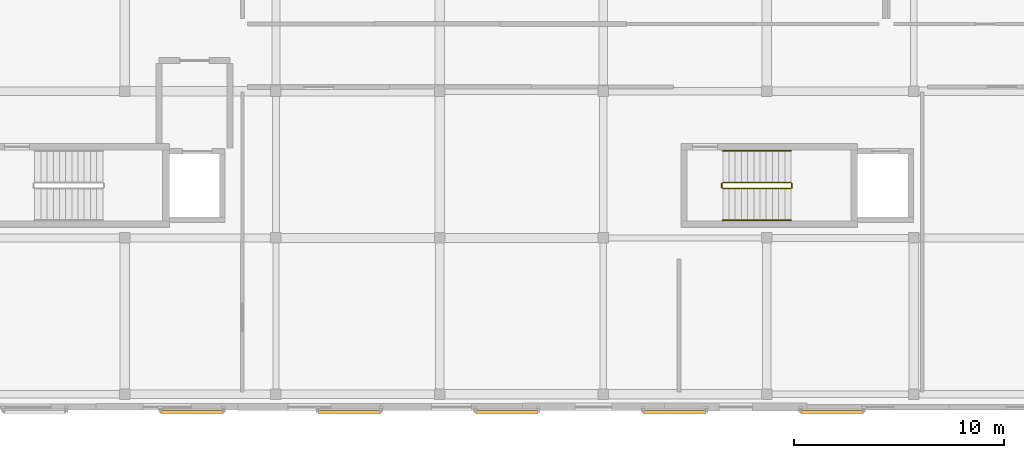
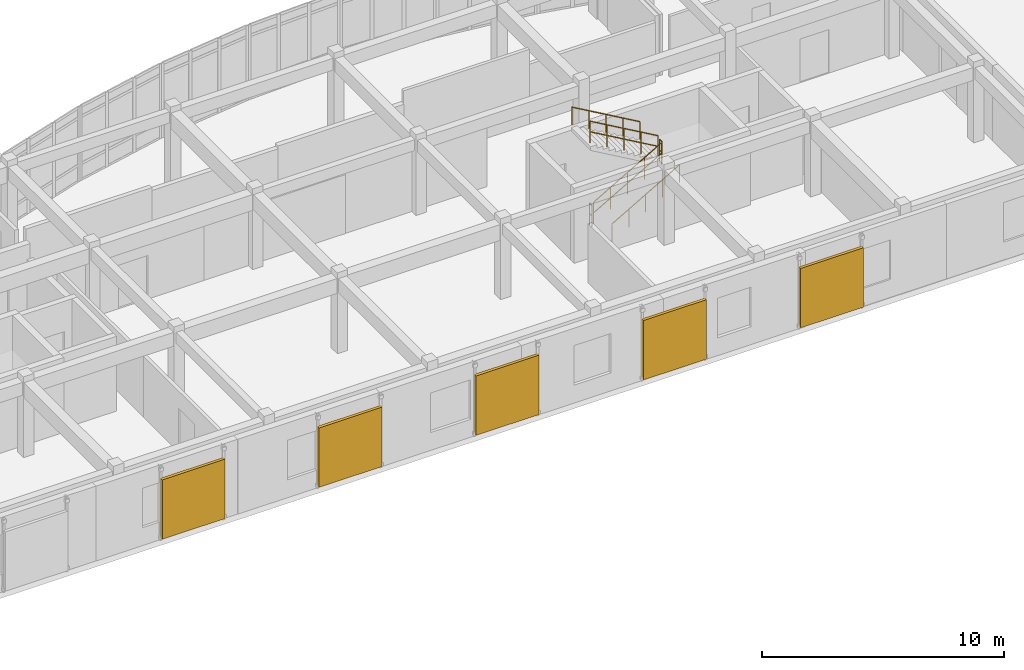
# One storey, part 88 of 91: 6 railings, 5 shading devices.
"""IFC4 building model written with IfcOpenShell, lengths in metres."""

from ifc_helpers import new_model, si_unit, direction, frame, origin, origin_2d, place, context, subcontext, project, spatial, rectangle, circle, extrude, material, layer, layer_set, type_object, element, save


model = new_model("IFC4")

# Units and contexts
model_context = context("Model", 3, precision=1e-05, world=origin(), true_north=direction((0.0, 1.0)))
body_context = subcontext(model_context, "Body", "Model", "MODEL_VIEW")
ifc_project = project(units=[si_unit("LENGTHUNIT", "METRE"), si_unit("AREAUNIT", "SQUARE_METRE"), si_unit("VOLUMEUNIT", "CUBIC_METRE"), si_unit("PLANEANGLEUNIT", "RADIAN"), si_unit("MASSUNIT", "GRAM", prefix="KILO")], contexts=[model_context])

# Site, building, storey
site_placement = place(None, origin())
site = spatial("IfcSite", under=ifc_project, at=site_placement, CompositionType="ELEMENT")
building_placement = place(site_placement, origin())
building = spatial("IfcBuilding", under=site, at=building_placement, Name="Valcora Specialist Clinic", CompositionType="ELEMENT")
storey_placement = place(building_placement, frame((0.0, 0.0, 13.60009765625)))
storey = spatial("IfcBuildingStorey", under=building, at=storey_placement, Name="L03", CompositionType="ELEMENT", Elevation=13.60009765625)

# Railings
ifc_material_1 = material(Name="Stainless Steel AISI 316", Category="steel")
railing_type_1 = type_object("IfcRailingType", Name="TY-RL-GRD112", PredefinedType="GUARDRAIL", material=ifc_material_1)
railing_1_placement = place(storey_placement, frame((90.300048828125, 10.550048828125, 0.169921875)))
element("IfcRailing", 1, at=railing_1_placement, inside=storey, type_object=railing_type_1, Name="L03 ST-V6B stair guard 1", PredefinedType="GUARDRAIL", context=body_context, shape_type="SweptSolid", body=[
    extrude(circle(Radius=0.02392578125, at=origin_2d()), frame((0.0, 0.0, 1.09619140625), z_axis=(0.866436178797, 0.0, 0.499287840901), x_axis=(0.0, 1.0, 0.0)), (0.0, 0.0, 1.0), 3.7451171875),
    extrude(circle(Radius=0.02392578125, at=origin_2d()), frame((0.0, 0.0, 0.56005859375), z_axis=(0.866436178797, 0.0, 0.499287840901), x_axis=(0.0, 1.0, 0.0)), (0.0, 0.0, 1.0), 3.7451171875),
    extrude(circle(Radius=0.02099609375, at=origin_2d()), origin(), (0.0, 0.0, 1.0), 1.072021484375),
    extrude(circle(Radius=0.02099609375, at=origin_2d()), frame((0.811279296875, 0.0, 0.467529296875)), (0.0, 0.0, 1.0), 1.072021484375),
    extrude(circle(Radius=0.02099609375, at=origin_2d()), frame((1.62255859375, 0.0, 0.93505859375)), (0.0, 0.0, 1.0), 1.072021484375),
    extrude(circle(Radius=0.02099609375, at=origin_2d()), frame((2.43359375, 0.0, 1.40234375)), (0.0, 0.0, 1.0), 1.072021484375),
    extrude(circle(Radius=0.02099609375, at=origin_2d()), frame((3.244873046875, 0.0, 1.869873046875)), (0.0, 0.0, 1.0), 1.072021484375),
])
railing_2_placement = place(storey_placement, frame((93.594970703125, 10.60009765625, 2.039794921875)))
element("IfcRailing", 2, at=railing_2_placement, inside=storey, type_object=railing_type_1, Name="L03 ST-V6B stair guard 2", PredefinedType="GUARDRAIL", context=body_context, shape_type="SweptSolid", body=[
    extrude(circle(Radius=0.02392578125, at=origin_2d()), frame((0.0, 0.0, 1.09619140625), z_axis=(0.0, 1.0, 0.0), x_axis=(-1.0, 0.0, 0.0)), (0.0, 0.0, 1.0), 0.199951171875),
    extrude(circle(Radius=0.02392578125, at=origin_2d()), frame((0.0, 0.0, 0.56005859375), z_axis=(0.0, 1.0, 0.0), x_axis=(-1.0, 0.0, 0.0)), (0.0, 0.0, 1.0), 0.199951171875),
    extrude(circle(Radius=0.02099609375, at=origin_2d()), origin(), (0.0, 0.0, 1.0), 1.072021484375),
    extrude(circle(Radius=0.02099609375, at=origin_2d()), frame((0.0, 0.199951171875, 0.0)), (0.0, 0.0, 1.0), 1.072021484375),
])
railing_3_placement = place(storey_placement, frame((93.544921875, 10.85009765625, 2.2099609375)))
element("IfcRailing", 3, at=railing_3_placement, inside=storey, type_object=railing_type_1, Name="L03 ST-V6B stair guard 3", PredefinedType="GUARDRAIL", context=body_context, shape_type="SweptSolid", body=[
    extrude(circle(Radius=0.02392578125, at=origin_2d()), frame((0.0, 0.0, 1.09619140625), z_axis=(-0.866436178797, 0.0, 0.499287840901), x_axis=(0.0, -1.0, 0.0)), (0.0, 0.0, 1.0), 3.7451171875),
    extrude(circle(Radius=0.02392578125, at=origin_2d()), frame((0.0, 0.0, 0.56005859375), z_axis=(-0.866436178797, 0.0, 0.499287840901), x_axis=(0.0, -1.0, 0.0)), (0.0, 0.0, 1.0), 3.7451171875),
    extrude(circle(Radius=0.02099609375, at=origin_2d()), origin(), (0.0, 0.0, 1.0), 1.072021484375),
    extrude(circle(Radius=0.02099609375, at=origin_2d()), frame((-0.811279296875, 0.0, 0.467529296875)), (0.0, 0.0, 1.0), 1.072021484375),
    extrude(circle(Radius=0.02099609375, at=origin_2d()), frame((-1.62255859375, 0.0, 0.93505859375)), (0.0, 0.0, 1.0), 1.072021484375),
    extrude(circle(Radius=0.02099609375, at=origin_2d()), frame((-2.43359375, 0.0, 1.40234375)), (0.0, 0.0, 1.0), 1.072021484375),
    extrude(circle(Radius=0.02099609375, at=origin_2d()), frame((-3.244873046875, 0.0, 1.869873046875)), (0.0, 0.0, 1.0), 1.072021484375),
])
railing_4_placement = place(storey_placement, frame((90.25, 10.60009765625, 0.0)))
element("IfcRailing", 4, at=railing_4_placement, inside=storey, type_object=railing_type_1, Name="L03 ST-V6B stair guard 4", PredefinedType="GUARDRAIL", context=body_context, shape_type="SweptSolid", body=[
    extrude(circle(Radius=0.02392578125, at=origin_2d()), frame((0.0, 0.0, 1.09619140625), z_axis=(0.0, 1.0, 0.0), x_axis=(-1.0, 0.0, 0.0)), (0.0, 0.0, 1.0), 0.199951171875),
    extrude(circle(Radius=0.02392578125, at=origin_2d()), frame((0.0, 0.0, 0.56005859375), z_axis=(0.0, 1.0, 0.0), x_axis=(-1.0, 0.0, 0.0)), (0.0, 0.0, 1.0), 0.199951171875),
    extrude(circle(Radius=0.02099609375, at=origin_2d()), origin(), (0.0, 0.0, 1.0), 1.072021484375),
    extrude(circle(Radius=0.02099609375, at=origin_2d()), frame((0.0, 0.199951171875, 0.0)), (0.0, 0.0, 1.0), 1.072021484375),
])
railing_type_2 = type_object("IfcRailingType", Name="TY-RL-HND092", PredefinedType="HANDRAIL", material=ifc_material_1)
railing_5_placement = place(storey_placement, frame((90.300048828125, 9.050048828125, 0.169921875)))
element("IfcRailing", 5, at=railing_5_placement, inside=storey, type_object=railing_type_2, Name="L03 ST-V6B stair handrail 1", PredefinedType="HANDRAIL", context=body_context, shape_type="SweptSolid", body=[
    extrude(circle(Radius=0.02392578125, at=origin_2d()), frame((0.0, 0.0, 0.89599609375), z_axis=(0.866436178797, 0.0, 0.499287840901), x_axis=(0.0, 1.0, 0.0)), (0.0, 0.0, 1.0), 3.7451171875),
    extrude(circle(Radius=0.02099609375, at=origin_2d()), origin(), (0.0, 0.0, 1.0), 0.871826171875),
    extrude(circle(Radius=0.02099609375, at=origin_2d()), frame((0.811279296875, 0.0, 0.467529296875)), (0.0, 0.0, 1.0), 0.871826171875),
    extrude(circle(Radius=0.02099609375, at=origin_2d()), frame((1.62255859375, 0.0, 0.93505859375)), (0.0, 0.0, 1.0), 0.871826171875),
    extrude(circle(Radius=0.02099609375, at=origin_2d()), frame((2.43359375, 0.0, 1.40234375)), (0.0, 0.0, 1.0), 0.871826171875),
    extrude(circle(Radius=0.02099609375, at=origin_2d()), frame((3.244873046875, 0.0, 1.869873046875)), (0.0, 0.0, 1.0), 0.871826171875),
])
railing_6_placement = place(storey_placement, frame((93.544921875, 12.35009765625, 2.2099609375)))
element("IfcRailing", 6, at=railing_6_placement, inside=storey, type_object=railing_type_2, Name="L03 ST-V6B stair handrail 2", PredefinedType="HANDRAIL", context=body_context, shape_type="SweptSolid", body=[
    extrude(circle(Radius=0.02392578125, at=origin_2d()), frame((0.0, 0.0, 0.89599609375), z_axis=(-0.866436178797, 0.0, 0.499287840901), x_axis=(0.0, -1.0, 0.0)), (0.0, 0.0, 1.0), 3.7451171875),
    extrude(circle(Radius=0.02099609375, at=origin_2d()), origin(), (0.0, 0.0, 1.0), 0.871826171875),
    extrude(circle(Radius=0.02099609375, at=origin_2d()), frame((-0.811279296875, 0.0, 0.467529296875)), (0.0, 0.0, 1.0), 0.871826171875),
    extrude(circle(Radius=0.02099609375, at=origin_2d()), frame((-1.62255859375, 0.0, 0.93505859375)), (0.0, 0.0, 1.0), 0.871826171875),
    extrude(circle(Radius=0.02099609375, at=origin_2d()), frame((-2.43359375, 0.0, 1.40234375)), (0.0, 0.0, 1.0), 0.871826171875),
    extrude(circle(Radius=0.02099609375, at=origin_2d()), frame((-3.244873046875, 0.0, 1.869873046875)), (0.0, 0.0, 1.0), 0.871826171875),
])

# Shading devices
ifc_material_2 = material(Name="Perforated Jalisco Clay Brick Masonry", Category="masonry")
ifc_layer = layer(ifc_material_2, 0.139892578125)
ifc_layer_set = layer_set([ifc_layer], Name="Perforated Jalisco Clay Brick Masonry")
shading_device_type = type_object("IfcShadingDeviceType", Name="TY-SD-SCR300", PredefinedType="USERDEFINED", material=ifc_layer_set)
for number, where, z_axis, x_axis, name in (
    (7, (65.0, -0.10009765625, 0.119873046875), (0.0, 0.0, 1.0), (1.0, 0.0, 0.0), "Perforated Jalisco brick screen 26"),
    (8, (72.5, -0.10009765625, 0.119873046875), (0.0, 0.0, 1.0), (1.0, 0.0, 0.0), "Perforated Jalisco brick screen 27"),
    (9, (80.0, -0.10009765625, 0.119873046875), (0.0, 0.0, 1.0), (1.0, 0.0, 0.0), "Perforated Jalisco brick screen 28"),
    (10, (88.0, -0.10009765625, 0.119873046875), (0.0, 0.0, 1.0), (1.0, 0.0, 0.0), "Perforated Jalisco brick screen 29"),
    (11, (95.5, -0.10009765625, 0.119873046875), (0.0, 0.0, 1.0), (1.0, 0.0, 0.0), "Perforated Jalisco brick screen 30"),
):
    element("IfcShadingDevice", number, at=place(storey_placement, frame(where, z_axis=z_axis, x_axis=x_axis)), inside=storey, type_object=shading_device_type, Name=name, ObjectType="PERFORATED BRICK SCREEN", PredefinedType="USERDEFINED", context=body_context, shape_type="SweptSolid", body=[
        extrude(rectangle(XDim=3.0, YDim=0.139892578125, at=origin_2d()), origin(), (0.0, 0.0, 1.0), 3.0),
    ])

save(model, "model.ifc")
